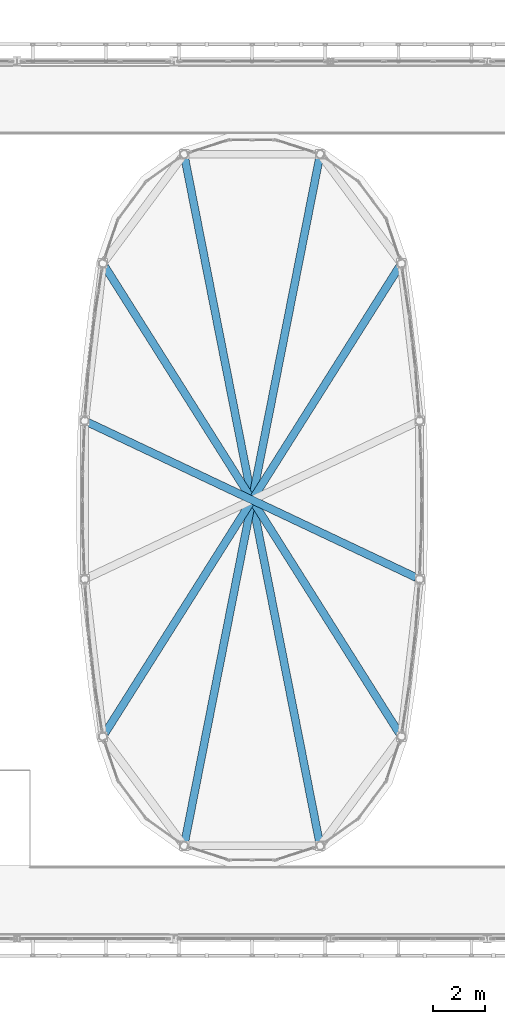
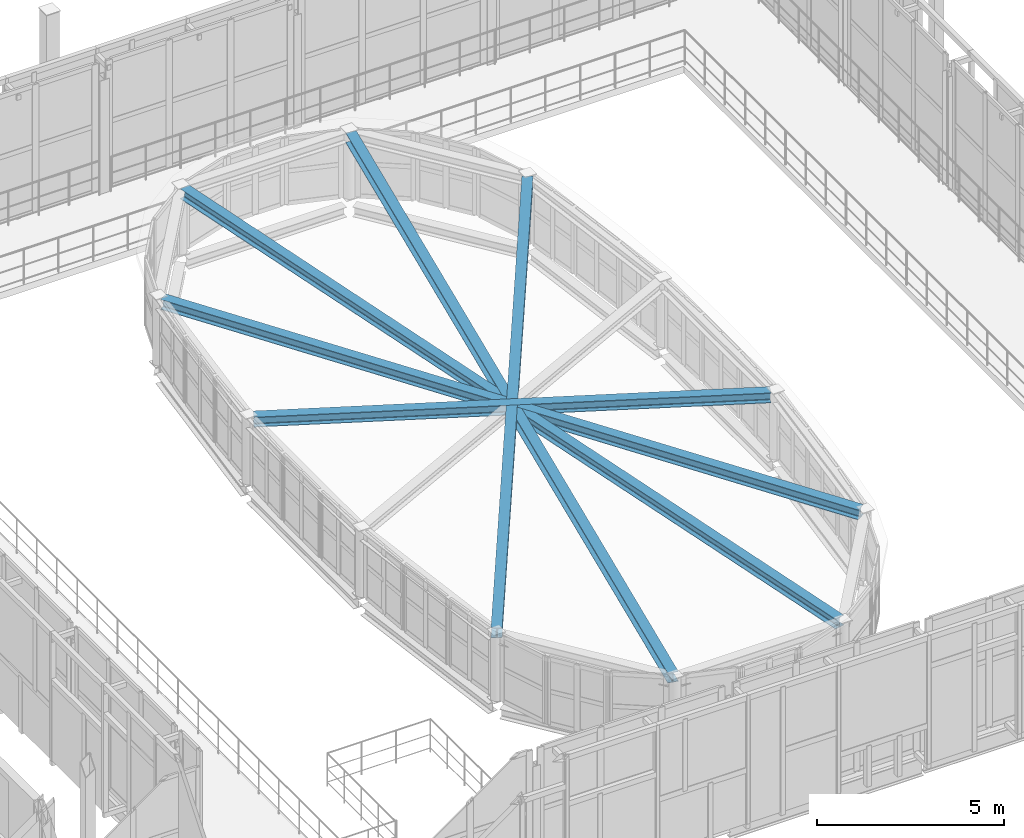
# One storey, part 34 of 78: 5 beams.
"""IFC4 building model written with IfcOpenShell, lengths in metres."""

from ifc_helpers import new_model, si_unit, direction, frame, origin, origin_2d, place, context, subcontext, project, spatial, i_section, extrude, material, material_profile, profile_set, type_object, element, save


model = new_model("IFC4")

# Units and contexts
model_context = context("Model", 3, precision=1e-05, world=origin(), true_north=direction((0.0, 1.0)))
body_context = subcontext(model_context, "Body", "Model", "MODEL_VIEW")
ifc_project = project(units=[si_unit("LENGTHUNIT", "METRE"), si_unit("AREAUNIT", "SQUARE_METRE"), si_unit("VOLUMEUNIT", "CUBIC_METRE"), si_unit("PLANEANGLEUNIT", "RADIAN"), si_unit("MASSUNIT", "GRAM", prefix="KILO")], contexts=[model_context])

# Site, building, storey
site_placement = place(None, origin())
site = spatial("IfcSite", under=ifc_project, at=site_placement, CompositionType="ELEMENT")
building_placement = place(site_placement, origin())
building = spatial("IfcBuilding", under=site, at=building_placement, Name="Vinh Khe Railworks Police Headquarters", CompositionType="ELEMENT")
storey_placement = place(building_placement, frame((0.0, 0.0, 13.199951171875)))
storey = spatial("IfcBuildingStorey", under=building, at=storey_placement, Name="L03", CompositionType="ELEMENT", Elevation=13.199951171875)

# Beams
ifc_material = material(Name="Steel S355JR", Category="steel")
ifc_material_profile = material_profile(ifc_material, i_section(OverallWidth=0.300048828125, OverallDepth=0.330078125, WebThickness=0.009521484375, FlangeThickness=0.0166015625, FilletRadius=0.027099609375, at=origin_2d()), Name="HEA 340")
ifc_profile_set = profile_set([ifc_material_profile], Name="Steel S355JR")
beam_type = type_object("IfcBeamType", Name="Steel Girder HEA 340", PredefinedType="BEAM", material=ifc_profile_set)
beam_1_placement = place(storey_placement, frame((37.5625, 33.064208984375, 2.03515625), z_axis=(0.533573011421, 0.845754007666, 0.0), x_axis=(-0.845754007666, 0.533573011421, 0.0)))
element("IfcBeam", 1, at=beam_1_placement, inside=storey, type_object=beam_type, Name="Drum Radial Girder 1491", PredefinedType="BEAM", context=body_context, shape_type="SweptSolid", body=[
    extrude(i_section(OverallWidth=0.300048828125, OverallDepth=0.330078125, WebThickness=0.009521484375, FlangeThickness=0.0166015625, FilletRadius=0.027099609375, at=origin_2d()), origin(), (0.0, 0.0, 1.0), 21.130859375),
])
for number, where, z_axis, x_axis, name in (
    (2, (40.622314453125, 28.90185546875, 2.03515625), (0.193090556646, 0.981180939957, 0.0), (-0.981180939957, 0.193090556646, 0.0), "Drum Radial Girder 1492"),
    (3, (45.777587890625, 28.90185546875, 2.03515625), (-0.193090556646, 0.981180939957, 0.0), (-0.981180939957, -0.193090556646, 0.0), "Drum Radial Girder 1493"),
):
    element("IfcBeam", number, at=place(storey_placement, frame(where, z_axis=z_axis, x_axis=x_axis)), inside=storey, type_object=beam_type, Name=name, PredefinedType="BEAM", context=body_context, shape_type="SweptSolid", body=[
        extrude(i_section(OverallWidth=0.300048828125, OverallDepth=0.330078125, WebThickness=0.009521484375, FlangeThickness=0.0166015625, FilletRadius=0.027099609375, at=origin_2d()), origin(), (0.0, 0.0, 1.0), 26.69873046875),
    ])
beam_2_placement = place(storey_placement, frame((48.83740234375, 33.064208984375, 2.03515625), z_axis=(-0.533573011421, 0.845754007666, 0.0), x_axis=(-0.845754007666, -0.533573011421, 0.0)))
element("IfcBeam", 4, at=beam_2_placement, inside=storey, type_object=beam_type, Name="Drum Radial Girder 1494", PredefinedType="BEAM", context=body_context, shape_type="SweptSolid", body=[
    extrude(i_section(OverallWidth=0.300048828125, OverallDepth=0.330078125, WebThickness=0.009521484375, FlangeThickness=0.0166015625, FilletRadius=0.027099609375, at=origin_2d()), origin(), (0.0, 0.0, 1.0), 21.130859375),
])
beam_3_placement = place(storey_placement, frame((49.484130859375, 39.028564453125, 2.03515625), z_axis=(-0.904028342351, 0.427472521018, 0.0), x_axis=(-0.427472521018, -0.904028342351, 0.0)))
element("IfcBeam", 5, at=beam_3_placement, inside=storey, type_object=beam_type, Name="Drum Radial Girder 1495", PredefinedType="BEAM", context=body_context, shape_type="SweptSolid", body=[
    extrude(i_section(OverallWidth=0.300048828125, OverallDepth=0.330078125, WebThickness=0.009521484375, FlangeThickness=0.0166015625, FilletRadius=0.027099609375, at=origin_2d()), origin(), (0.0, 0.0, 1.0), 13.90234375),
])

save(model, "model.ifc")
